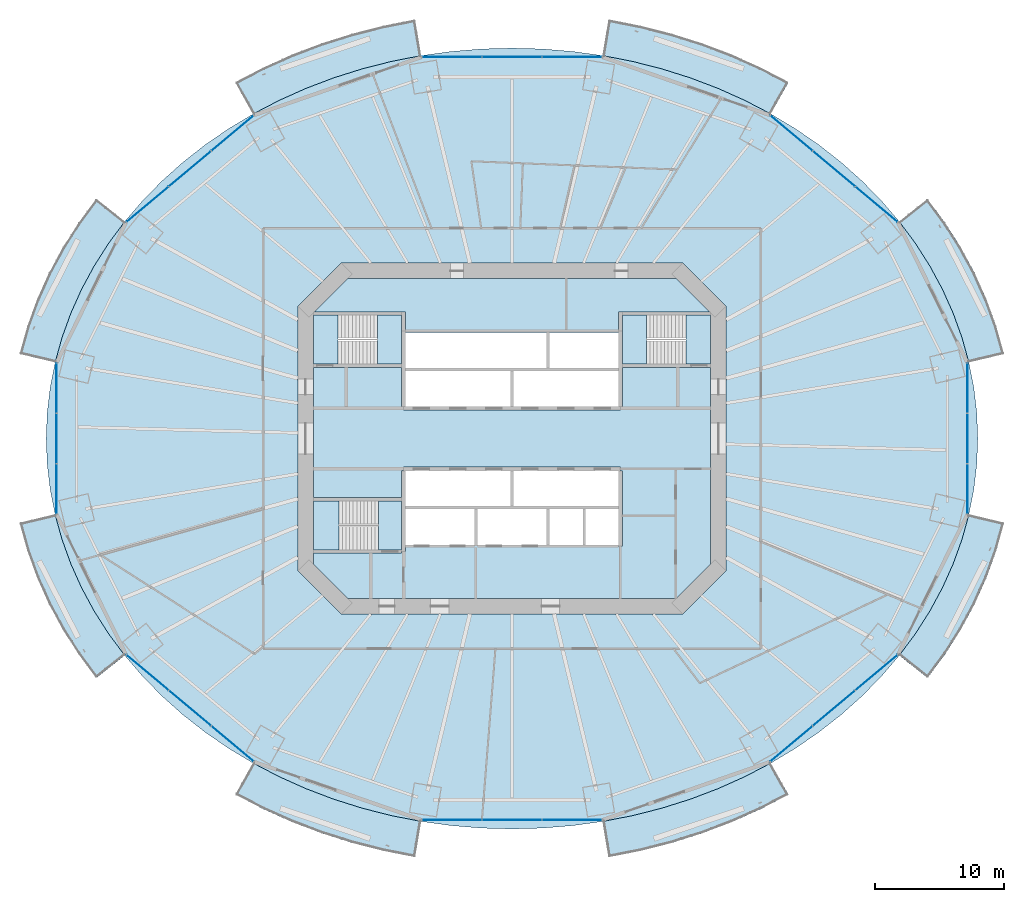
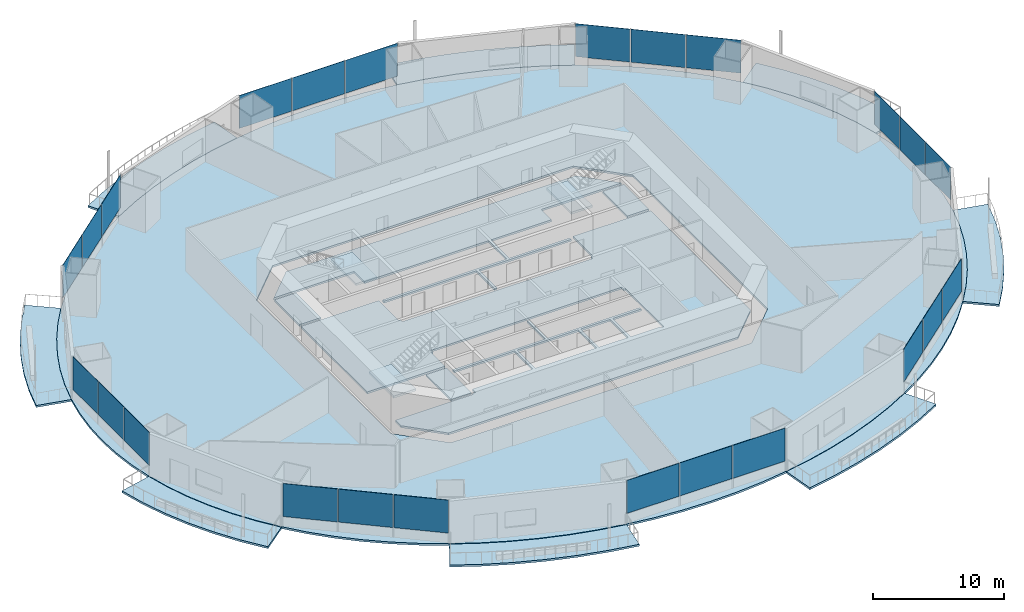
# One storey, part 13 of 23: 24 plates, 17 slabs, 11 elements without a shape of their own.
"""IFC4 building model written with IfcOpenShell, lengths in metres."""

from ifc_helpers import new_model, si_unit, direction, frame, origin, origin_2d, place, context, subcontext, project, spatial, polyline, rectangle, outline, extrude, material, layer, layer_set, type_object, element, aggregate, save


model = new_model("IFC4")

# Units and contexts
model_context = context("Model", 3, precision=1e-05, world=origin(), true_north=direction((0.0, 1.0)))
body_context = subcontext(model_context, "Body", "Model", "MODEL_VIEW")
ifc_project = project(units=[si_unit("LENGTHUNIT", "METRE"), si_unit("AREAUNIT", "SQUARE_METRE"), si_unit("VOLUMEUNIT", "CUBIC_METRE"), si_unit("PLANEANGLEUNIT", "RADIAN"), si_unit("MASSUNIT", "GRAM", prefix="KILO")], contexts=[model_context])

# Site, building, storey
site_placement = place(None, origin())
site = spatial("IfcSite", under=ifc_project, at=site_placement, CompositionType="ELEMENT")
building_placement = place(site_placement, origin())
building = spatial("IfcBuilding", under=site, at=building_placement, Name="Marenthal Gate Tower", CompositionType="ELEMENT")
storey_placement = place(building_placement, frame((0.0, 0.0, 62.050048828125)))
storey = spatial("IfcBuildingStorey", under=building, at=storey_placement, Name="L11", CompositionType="ELEMENT", Elevation=62.050048828125)

# Slabs
ifc_material_1 = material(Name="Concrete 40 MPa", Category="concrete")
ifc_layer_1 = layer(ifc_material_1, 0.179931640625)
ifc_layer_set_1 = layer_set([ifc_layer_1], Name="Balcony deck 180")
slab_type_1 = type_object("IfcSlabType", Name="Balcony deck 180", PredefinedType="USERDEFINED", material=ifc_layer_set_1)
slab_1_placement = place(storey_placement, frame((0.0, 0.0, -0.219970703125)))
element("IfcSlab", 1, at=slab_1_placement, inside=storey, type_object=slab_type_1, Name="Balcony deck L11 bay 1", ObjectType="BALCONY", PredefinedType="USERDEFINED", context=body_context, shape_type="SweptSolid", body=[
    extrude(outline(polyline([(35.421142578125, 5.9052734375), (34.884521484375, 7.834228515625), (34.198486328125, 9.729736328125), (33.365966796875, 11.58349609375), (32.390625, 13.3876953125), (31.276611328125, 15.134521484375), (30.028564453125, 16.816650390625), (32.2177734375, 18.56201171875), (33.582275390625, 16.722900390625), (34.803955078125, 14.8076171875), (35.8759765625, 12.823974609375), (36.793701171875, 10.78076171875), (37.551513671875, 8.686767578125), (38.1455078125, 6.5517578125), (35.421142578125, 5.9052734375)])), origin(), (0.0, 0.0, 1.0), 0.179931640625),
])
slab_2_placement = place(storey_placement, frame((0.0, 0.0, -0.219970703125)))
element("IfcSlab", 2, at=slab_2_placement, inside=storey, type_object=slab_type_1, Name="Balcony deck L11 bay 3", ObjectType="BALCONY", PredefinedType="USERDEFINED", context=body_context, shape_type="SweptSolid", body=[
    extrude(outline(polyline([(20.064453125, 25.167724609375), (18.0576171875, 26.213623046875), (15.973388671875, 27.1474609375), (13.820556640625, 27.96484375), (11.60888671875, 28.66259765625), (9.34716796875, 29.237548828125), (7.045654296875, 29.6875), (7.506103515625, 32.44921875), (9.960693359375, 31.969482421875), (12.375, 31.355712890625), (14.739013671875, 30.610107421875), (17.042724609375, 29.735107421875), (19.277099609375, 28.734130859375), (21.4326171875, 27.61083984375), (20.064453125, 25.167724609375)])), origin(), (0.0, 0.0, 1.0), 0.179931640625),
])
slab_3_placement = place(storey_placement, frame((0.0, 0.0, -0.219970703125)))
element("IfcSlab", 3, at=slab_3_placement, inside=storey, type_object=slab_type_1, Name="Balcony deck L11 bay 5", ObjectType="BALCONY", PredefinedType="USERDEFINED", context=body_context, shape_type="SweptSolid", body=[
    extrude(outline(polyline([(-7.045654296875, 29.6875), (-9.34716796875, 29.237548828125), (-11.60888671875, 28.66259765625), (-13.820556640625, 27.96484375), (-15.973388671875, 27.1474609375), (-18.0576171875, 26.213623046875), (-20.064453125, 25.167724609375), (-21.4326171875, 27.61083984375), (-19.277099609375, 28.734130859375), (-17.042724609375, 29.735107421875), (-14.739013671875, 30.610107421875), (-12.375, 31.355712890625), (-9.960693359375, 31.969482421875), (-7.506103515625, 32.44921875), (-7.045654296875, 29.6875)])), origin(), (0.0, 0.0, 1.0), 0.179931640625),
])
slab_4_placement = place(storey_placement, frame((0.0, 0.0, -0.219970703125)))
element("IfcSlab", 4, at=slab_4_placement, inside=storey, type_object=slab_type_1, Name="Balcony deck L11 bay 7", ObjectType="BALCONY", PredefinedType="USERDEFINED", context=body_context, shape_type="SweptSolid", body=[
    extrude(outline(polyline([(-30.028564453125, 16.816650390625), (-31.276611328125, 15.134521484375), (-32.390625, 13.3876953125), (-33.365966796875, 11.58349609375), (-34.198486328125, 9.729736328125), (-34.884521484375, 7.834228515625), (-35.421142578125, 5.9052734375), (-38.1455078125, 6.5517578125), (-37.551513671875, 8.686767578125), (-36.793701171875, 10.78076171875), (-35.8759765625, 12.823974609375), (-34.803955078125, 14.8076171875), (-33.582275390625, 16.722900390625), (-32.2177734375, 18.56201171875), (-30.028564453125, 16.816650390625)])), origin(), (0.0, 0.0, 1.0), 0.179931640625),
])
slab_5_placement = place(storey_placement, frame((0.0, 0.0, -0.219970703125)))
element("IfcSlab", 5, at=slab_5_placement, inside=storey, type_object=slab_type_1, Name="Balcony deck L11 bay 9", ObjectType="BALCONY", PredefinedType="USERDEFINED", context=body_context, shape_type="SweptSolid", body=[
    extrude(outline(polyline([(-35.421142578125, -5.9052734375), (-34.884521484375, -7.834228515625), (-34.198486328125, -9.729736328125), (-33.365966796875, -11.58349609375), (-32.390625, -13.3876953125), (-31.276611328125, -15.134521484375), (-30.028564453125, -16.816650390625), (-32.2177734375, -18.56201171875), (-33.582275390625, -16.722900390625), (-34.803955078125, -14.8076171875), (-35.8759765625, -12.823974609375), (-36.793701171875, -10.78076171875), (-37.551513671875, -8.686767578125), (-38.1455078125, -6.5517578125), (-35.421142578125, -5.9052734375)])), origin(), (0.0, 0.0, 1.0), 0.179931640625),
])
slab_6_placement = place(storey_placement, frame((0.0, 0.0, -0.219970703125)))
element("IfcSlab", 6, at=slab_6_placement, inside=storey, type_object=slab_type_1, Name="Balcony deck L11 bay 11", ObjectType="BALCONY", PredefinedType="USERDEFINED", context=body_context, shape_type="SweptSolid", body=[
    extrude(outline(polyline([(-20.064453125, -25.167724609375), (-18.0576171875, -26.213623046875), (-15.973388671875, -27.1474609375), (-13.820556640625, -27.96484375), (-11.60888671875, -28.66259765625), (-9.34716796875, -29.237548828125), (-7.045654296875, -29.6875), (-7.506103515625, -32.44921875), (-9.960693359375, -31.969482421875), (-12.375, -31.355712890625), (-14.739013671875, -30.610107421875), (-17.042724609375, -29.735107421875), (-19.277099609375, -28.734130859375), (-21.4326171875, -27.61083984375), (-20.064453125, -25.167724609375)])), origin(), (0.0, 0.0, 1.0), 0.179931640625),
])
slab_7_placement = place(storey_placement, frame((0.0, 0.0, -0.219970703125)))
element("IfcSlab", 7, at=slab_7_placement, inside=storey, type_object=slab_type_1, Name="Balcony deck L11 bay 13", ObjectType="BALCONY", PredefinedType="USERDEFINED", context=body_context, shape_type="SweptSolid", body=[
    extrude(outline(polyline([(7.045654296875, -29.6875), (9.34716796875, -29.237548828125), (11.60888671875, -28.66259765625), (13.820556640625, -27.96484375), (15.973388671875, -27.1474609375), (18.0576171875, -26.213623046875), (20.064453125, -25.167724609375), (21.4326171875, -27.61083984375), (19.277099609375, -28.734130859375), (17.042724609375, -29.735107421875), (14.739013671875, -30.610107421875), (12.375, -31.355712890625), (9.960693359375, -31.969482421875), (7.506103515625, -32.44921875), (7.045654296875, -29.6875)])), origin(), (0.0, 0.0, 1.0), 0.179931640625),
])
slab_8_placement = place(storey_placement, frame((0.0, 0.0, -0.219970703125)))
element("IfcSlab", 8, at=slab_8_placement, inside=storey, type_object=slab_type_1, Name="Balcony deck L11 bay 15", ObjectType="BALCONY", PredefinedType="USERDEFINED", context=body_context, shape_type="SweptSolid", body=[
    extrude(outline(polyline([(30.028564453125, -16.816650390625), (31.276611328125, -15.134521484375), (32.390625, -13.3876953125), (33.365966796875, -11.58349609375), (34.198486328125, -9.729736328125), (34.884521484375, -7.834228515625), (35.421142578125, -5.9052734375), (38.1455078125, -6.5517578125), (37.551513671875, -8.686767578125), (36.793701171875, -10.78076171875), (35.8759765625, -12.823974609375), (34.803955078125, -14.8076171875), (33.582275390625, -16.722900390625), (32.2177734375, -18.56201171875), (30.028564453125, -16.816650390625)])), origin(), (0.0, 0.0, 1.0), 0.179931640625),
])
ifc_material_2 = material(Name="Concrete 50 MPa", Category="concrete")
ifc_layer_2 = layer(ifc_material_2, 0.179931640625)
ifc_layer_set_2 = layer_set([ifc_layer_2], Name="Core floor slab 180")
slab_type_2 = type_object("IfcSlabType", Name="Core floor slab 180", PredefinedType="FLOOR", material=ifc_layer_set_2)
slab_9_placement = place(storey_placement, frame((0.0, 0.0, -0.179931640625)))
element("IfcSlab", 9, at=slab_9_placement, inside=storey, type_object=slab_type_2, Name="Core floor L11", PredefinedType="FLOOR", context=body_context, shape_type="SweptSolid", body=[
    extrude(outline(polyline([(15.39990234375, -9.75146484375), (12.75146484375, -12.39990234375), (-12.75146484375, -12.39990234375), (-15.39990234375, -9.75146484375), (-15.39990234375, -8.875), (-8.550048828125, -8.875), (-8.550048828125, -8.75), (-8.25, -8.75), (-8.25, -8.239990234375), (-5.60009765625, -8.239990234375), (-2.909912109375, -8.239990234375), (-2.909912109375, -5.4599609375), (-5.60009765625, -5.4599609375), (-8.25, -5.4599609375), (-8.25, -5.239990234375), (-5.60009765625, -5.239990234375), (-2.800048828125, -5.239990234375), (-0.110107421875, -5.239990234375), (-0.110107421875, -2.5), (0.110107421875, -2.5), (0.110107421875, -5.239990234375), (2.800048828125, -5.239990234375), (5.60009765625, -5.239990234375), (8.25, -5.239990234375), (8.25, -5.4599609375), (5.7099609375, -5.4599609375), (5.7099609375, -8.239990234375), (8.25, -8.239990234375), (8.25, -8.35009765625), (8.550048828125, -8.35009765625), (8.550048828125, -2.5), (8.39990234375, -2.5), (8.39990234375, -2.199951171875), (-8.39990234375, -2.199951171875), (-8.39990234375, -2.5), (-8.550048828125, -2.5), (-8.550048828125, -4.574951171875), (-15.39990234375, -4.574951171875), (-15.39990234375, 5.52490234375), (-8.550048828125, 5.52490234375), (-8.550048828125, 2.5), (-8.39990234375, 2.5), (-8.39990234375, 2.199951171875), (8.39990234375, 2.199951171875), (8.39990234375, 2.5), (8.550048828125, 2.5), (8.550048828125, 5.52490234375), (15.39990234375, 5.52490234375), (15.39990234375, -9.75146484375)]), holes=[polyline([(2.68994140625, -5.4599609375), (0.0, -5.4599609375), (-2.68994140625, -5.4599609375), (-2.68994140625, -8.239990234375), (0.0, -8.239990234375), (2.68994140625, -8.239990234375), (2.68994140625, -5.4599609375)]), polyline([(5.489990234375, -5.4599609375), (2.909912109375, -5.4599609375), (2.909912109375, -8.239990234375), (5.489990234375, -8.239990234375), (5.489990234375, -5.4599609375)])]), origin(), (0.0, 0.0, 1.0), 0.179931640625),
])
slab_10_placement = place(storey_placement, frame((0.0, 0.0, -0.179931640625)))
element("IfcSlab", 10, at=slab_10_placement, inside=storey, type_object=slab_type_2, Name="Core floor L11", PredefinedType="FLOOR", context=body_context, shape_type="SweptSolid", body=[
    extrude(outline(polyline([(15.39990234375, 5.77490234375), (13.5, 5.77490234375), (13.5, 9.574951171875), (15.39990234375, 9.574951171875), (15.39990234375, 5.77490234375)])), origin(), (0.0, 0.0, 1.0), 0.179931640625),
])
slab_11_placement = place(storey_placement, frame((0.0, 0.0, -0.179931640625)))
element("IfcSlab", 11, at=slab_11_placement, inside=storey, type_object=slab_type_2, Name="Core floor L11", PredefinedType="FLOOR", context=body_context, shape_type="SweptSolid", body=[
    extrude(outline(polyline([(12.75146484375, 12.39990234375), (15.326416015625, 9.824951171875), (8.550048828125, 9.824951171875), (8.25, 9.824951171875), (8.25, 8.35009765625), (8.25, 8.239990234375), (5.60009765625, 8.239990234375), (2.909912109375, 8.239990234375), (2.909912109375, 5.4599609375), (5.60009765625, 5.4599609375), (8.25, 5.4599609375), (8.25, 5.239990234375), (5.60009765625, 5.239990234375), (2.800048828125, 5.239990234375), (0.110107421875, 5.239990234375), (0.110107421875, 2.5), (-0.110107421875, 2.5), (-0.110107421875, 5.239990234375), (-2.800048828125, 5.239990234375), (-5.60009765625, 5.239990234375), (-8.25, 5.239990234375), (-8.25, 5.4599609375), (-5.60009765625, 5.4599609375), (-2.800048828125, 5.4599609375), (0.0, 5.4599609375), (2.68994140625, 5.4599609375), (2.68994140625, 8.239990234375), (0.0, 8.239990234375), (-2.800048828125, 8.239990234375), (-5.60009765625, 8.239990234375), (-8.25, 8.239990234375), (-8.25, 8.35009765625), (-8.25, 9.824951171875), (-8.550048828125, 9.824951171875), (-15.326416015625, 9.824951171875), (-12.75146484375, 12.39990234375), (12.75146484375, 12.39990234375)])), origin(), (0.0, 0.0, 1.0), 0.179931640625),
])
slab_12_placement = place(storey_placement, frame((0.0, 0.0, -0.179931640625)))
element("IfcSlab", 12, at=slab_12_placement, inside=storey, type_object=slab_type_2, Name="Core floor L11", PredefinedType="FLOOR", context=body_context, shape_type="SweptSolid", body=[
    extrude(outline(polyline([(-15.39990234375, 9.574951171875), (-13.5, 9.574951171875), (-13.5, 5.77490234375), (-15.39990234375, 5.77490234375), (-15.39990234375, 9.574951171875)])), origin(), (0.0, 0.0, 1.0), 0.179931640625),
])
slab_13_placement = place(storey_placement, frame((0.0, 0.0, -0.179931640625)))
element("IfcSlab", 13, at=slab_13_placement, inside=storey, type_object=slab_type_2, Name="Core floor L11", PredefinedType="FLOOR", context=body_context, shape_type="SweptSolid", body=[
    extrude(outline(polyline([(-8.550048828125, -8.625), (-10.35009765625, -8.625), (-10.35009765625, -4.824951171875), (-8.550048828125, -4.824951171875), (-8.550048828125, -8.625)])), origin(), (0.0, 0.0, 1.0), 0.179931640625),
])
ifc_material_3 = material(Name="Concrete 35 MPa", Category="concrete")
ifc_layer_3 = layer(ifc_material_3, 0.179931640625)
ifc_layer_set_3 = layer_set([ifc_layer_3], Name="Floor slab 180")
slab_type_3 = type_object("IfcSlabType", Name="Floor slab 180", PredefinedType="FLOOR", material=ifc_layer_set_3)
slab_14_placement = place(storey_placement, frame((0.0, 0.0, -0.179931640625)))
element("IfcSlab", 14, at=slab_14_placement, inside=storey, type_object=slab_type_3, Name="SL-L11-01", PredefinedType="FLOOR", context=body_context, shape_type="SweptSolid", body=[
    extrude(outline(polyline([(36.114990234375, 0.0), (36.03759765625, 1.979736328125), (35.805908203125, 3.950927734375), (35.421142578125, 5.9052734375), (34.884521484375, 7.834228515625), (34.198486328125, 9.729736328125), (33.365966796875, 11.58349609375), (32.390625, 13.3876953125), (31.276611328125, 15.134521484375), (30.028564453125, 16.816650390625), (28.652099609375, 18.426513671875), (27.152587890625, 19.957763671875), (25.537109375, 21.4033203125), (23.812255859375, 22.75732421875), (21.9853515625, 24.013916015625), (20.064453125, 25.167724609375), (18.0576171875, 26.213623046875), (15.973388671875, 27.1474609375), (13.820556640625, 27.96484375), (11.60888671875, 28.66259765625), (9.34716796875, 29.237548828125), (7.045654296875, 29.6875), (4.714111328125, 30.010009765625), (2.362060546875, 30.2041015625), (0.0, 30.26904296875), (-2.362060546875, 30.2041015625), (-4.714111328125, 30.010009765625), (-7.045654296875, 29.6875), (-9.34716796875, 29.237548828125), (-11.60888671875, 28.66259765625), (-13.820556640625, 27.96484375), (-15.973388671875, 27.1474609375), (-18.0576171875, 26.213623046875), (-20.064453125, 25.167724609375), (-21.9853515625, 24.013916015625), (-23.812255859375, 22.75732421875), (-25.537109375, 21.4033203125), (-27.152587890625, 19.957763671875), (-28.652099609375, 18.426513671875), (-30.028564453125, 16.816650390625), (-31.276611328125, 15.134521484375), (-32.390625, 13.3876953125), (-33.365966796875, 11.58349609375), (-34.198486328125, 9.729736328125), (-34.884521484375, 7.834228515625), (-35.421142578125, 5.9052734375), (-35.805908203125, 3.950927734375), (-36.03759765625, 1.979736328125), (-36.114990234375, 0.0), (-36.03759765625, -1.979736328125), (-35.805908203125, -3.950927734375), (-35.421142578125, -5.9052734375), (-34.884521484375, -7.834228515625), (-34.198486328125, -9.729736328125), (-33.365966796875, -11.58349609375), (-32.390625, -13.3876953125), (-31.276611328125, -15.134521484375), (-30.028564453125, -16.816650390625), (-28.652099609375, -18.426513671875), (-27.152587890625, -19.957763671875), (-25.537109375, -21.4033203125), (-23.812255859375, -22.75732421875), (-21.9853515625, -24.013916015625), (-20.064453125, -25.167724609375), (-18.0576171875, -26.213623046875), (-15.973388671875, -27.1474609375), (-13.820556640625, -27.96484375), (-11.60888671875, -28.66259765625), (-9.34716796875, -29.237548828125), (-7.045654296875, -29.6875), (-4.714111328125, -30.010009765625), (-2.362060546875, -30.2041015625), (0.0, -30.26904296875), (2.362060546875, -30.2041015625), (4.714111328125, -30.010009765625), (7.045654296875, -29.6875), (9.34716796875, -29.237548828125), (11.60888671875, -28.66259765625), (13.820556640625, -27.96484375), (15.973388671875, -27.1474609375), (18.0576171875, -26.213623046875), (20.064453125, -25.167724609375), (21.9853515625, -24.013916015625), (23.812255859375, -22.75732421875), (25.537109375, -21.4033203125), (27.152587890625, -19.957763671875), (28.652099609375, -18.426513671875), (30.028564453125, -16.816650390625), (31.276611328125, -15.134521484375), (32.390625, -13.3876953125), (33.365966796875, -11.58349609375), (34.198486328125, -9.729736328125), (34.884521484375, -7.834228515625), (35.421142578125, -5.9052734375), (35.805908203125, -3.950927734375), (36.03759765625, -1.979736328125), (36.114990234375, 0.0)]), holes=[polyline([(13.24853515625, -13.60009765625), (16.60009765625, -10.24853515625), (16.60009765625, 10.24853515625), (13.24853515625, 13.60009765625), (-13.24853515625, 13.60009765625), (-16.60009765625, 10.24853515625), (-16.60009765625, -10.24853515625), (-13.24853515625, -13.60009765625), (13.24853515625, -13.60009765625)])]), origin(), (0.0, 0.0, 1.0), 0.179931640625),
])

# Curtain wall, plates
ifc_material_4 = material(Name="Aluminium and glass", Category="aluminium")
curtain_wall_type = type_object("IfcCurtainWallType", Name="Curtain wall typical low", PredefinedType="NOTDEFINED", material=ifc_material_4)
curtain_wall_1_placement = place(storey_placement, origin())
curtain_wall_1 = element("IfcCurtainWall", 15, at=curtain_wall_1_placement, inside=storey, type_object=curtain_wall_type, Name="Curtain wall L11 bay 2", PredefinedType="NOTDEFINED")
ifc_material_5 = material(Name="Glass, laminated insulating unit", Category="glass")
ifc_layer_4 = layer(ifc_material_5, 0.030029296875)
ifc_layer_set_4 = layer_set([ifc_layer_4], Name="Glass panel 30 typical low")
plate_type = type_object("IfcPlateType", Name="Glass panel 30 typical low", PredefinedType="CURTAIN_PANEL", material=ifc_layer_set_4)
plate_1_placement = place(storey_placement, frame((28.25830078125, 18.149169921875, 0.89990234375), z_axis=(0.0, 0.0, 1.0), x_axis=(-0.766611059497, 0.642111737517, 0.0)))
plate_1 = element("IfcPlate", 16, at=plate_1_placement, type_object=plate_type, Name="Glass panel L11 bay 2.1", PredefinedType="CURTAIN_PANEL", context=body_context, shape_type="SweptSolid", body=[
    extrude(rectangle(XDim=4.238037109375, YDim=0.030029296875, at=origin_2d()), origin(), (0.0, 0.0, 1.0), 3.070068359375),
])
plate_2_placement = place(storey_placement, frame((24.963134765625, 20.908935546875, 0.89990234375), z_axis=(0.0, 0.0, 1.0), x_axis=(-0.766611059497, 0.642111737517, 0.0)))
plate_2 = element("IfcPlate", 17, at=plate_2_placement, type_object=plate_type, Name="Glass panel L11 bay 2.2", PredefinedType="CURTAIN_PANEL", context=body_context, shape_type="SweptSolid", body=[
    extrude(rectangle(XDim=4.238037109375, YDim=0.030029296875, at=origin_2d()), origin(), (0.0, 0.0, 1.0), 3.070068359375),
])
plate_3_placement = place(storey_placement, frame((21.668212890625, 23.668701171875, 0.89990234375), z_axis=(0.0, 0.0, 1.0), x_axis=(-0.766611059497, 0.642111737517, 0.0)))
plate_3 = element("IfcPlate", 18, at=plate_3_placement, type_object=plate_type, Name="Glass panel L11 bay 2.3", PredefinedType="CURTAIN_PANEL", context=body_context, shape_type="SweptSolid", body=[
    extrude(rectangle(XDim=4.238037109375, YDim=0.030029296875, at=origin_2d()), origin(), (0.0, 0.0, 1.0), 3.070068359375),
])
aggregate(curtain_wall_1, [plate_1, plate_2, plate_3])

curtain_wall_2_placement = place(storey_placement, origin())
curtain_wall_2 = element("IfcCurtainWall", 19, at=curtain_wall_2_placement, inside=storey, type_object=curtain_wall_type, Name="Curtain wall L11 bay 4", PredefinedType="NOTDEFINED")
plate_4_placement = place(storey_placement, frame((4.66162109375, 29.569580078125, 0.89990234375), z_axis=(0.0, 0.0, 1.0), x_axis=(-1.0, 0.0, 0.0)))
plate_4 = element("IfcPlate", 20, at=plate_4_placement, type_object=plate_type, Name="Glass panel L11 bay 4.1", PredefinedType="CURTAIN_PANEL", context=body_context, shape_type="SweptSolid", body=[
    extrude(rectangle(XDim=4.6015625, YDim=0.030029296875, at=origin_2d()), origin(), (0.0, 0.0, 1.0), 3.070068359375),
])
plate_5_placement = place(storey_placement, frame((0.0, 29.569580078125, 0.89990234375), z_axis=(0.0, 0.0, 1.0), x_axis=(-1.0, 0.0, 0.0)))
plate_5 = element("IfcPlate", 21, at=plate_5_placement, type_object=plate_type, Name="Glass panel L11 bay 4.2", PredefinedType="CURTAIN_PANEL", context=body_context, shape_type="SweptSolid", body=[
    extrude(rectangle(XDim=4.6015625, YDim=0.030029296875, at=origin_2d()), origin(), (0.0, 0.0, 1.0), 3.070068359375),
])
plate_6_placement = place(storey_placement, frame((-4.66162109375, 29.569580078125, 0.89990234375), z_axis=(0.0, 0.0, 1.0), x_axis=(-1.0, 0.0, 0.0)))
plate_6 = element("IfcPlate", 22, at=plate_6_placement, type_object=plate_type, Name="Glass panel L11 bay 4.3", PredefinedType="CURTAIN_PANEL", context=body_context, shape_type="SweptSolid", body=[
    extrude(rectangle(XDim=4.6015625, YDim=0.030029296875, at=origin_2d()), origin(), (0.0, 0.0, 1.0), 3.070068359375),
])
aggregate(curtain_wall_2, [plate_4, plate_5, plate_6])

curtain_wall_3_placement = place(storey_placement, origin())
curtain_wall_3 = element("IfcCurtainWall", 23, at=curtain_wall_3_placement, inside=storey, type_object=curtain_wall_type, Name="Curtain wall L11 bay 6", PredefinedType="NOTDEFINED")
plate_7_placement = place(storey_placement, frame((-21.668212890625, 23.668701171875, 0.89990234375), z_axis=(0.0, 0.0, 1.0), x_axis=(-0.766611059497, -0.642111737517, 0.0)))
plate_7 = element("IfcPlate", 24, at=plate_7_placement, type_object=plate_type, Name="Glass panel L11 bay 6.1", PredefinedType="CURTAIN_PANEL", context=body_context, shape_type="SweptSolid", body=[
    extrude(rectangle(XDim=4.238037109375, YDim=0.030029296875, at=origin_2d()), origin(), (0.0, 0.0, 1.0), 3.070068359375),
])
plate_8_placement = place(storey_placement, frame((-24.963134765625, 20.908935546875, 0.89990234375), z_axis=(0.0, 0.0, 1.0), x_axis=(-0.766611059497, -0.642111737517, 0.0)))
plate_8 = element("IfcPlate", 25, at=plate_8_placement, type_object=plate_type, Name="Glass panel L11 bay 6.2", PredefinedType="CURTAIN_PANEL", context=body_context, shape_type="SweptSolid", body=[
    extrude(rectangle(XDim=4.238037109375, YDim=0.030029296875, at=origin_2d()), origin(), (0.0, 0.0, 1.0), 3.070068359375),
])
plate_9_placement = place(storey_placement, frame((-28.25830078125, 18.149169921875, 0.89990234375), z_axis=(0.0, 0.0, 1.0), x_axis=(-0.766611059497, -0.642111737517, 0.0)))
plate_9 = element("IfcPlate", 26, at=plate_9_placement, type_object=plate_type, Name="Glass panel L11 bay 6.3", PredefinedType="CURTAIN_PANEL", context=body_context, shape_type="SweptSolid", body=[
    extrude(rectangle(XDim=4.238037109375, YDim=0.030029296875, at=origin_2d()), origin(), (0.0, 0.0, 1.0), 3.070068359375),
])
aggregate(curtain_wall_3, [plate_7, plate_8, plate_9])

curtain_wall_4_placement = place(storey_placement, origin())
curtain_wall_4 = element("IfcCurtainWall", 27, at=curtain_wall_4_placement, inside=storey, type_object=curtain_wall_type, Name="Curtain wall L11 bay 8", PredefinedType="NOTDEFINED")
plate_10_placement = place(storey_placement, frame((-35.303466796875, 3.901123046875, 0.89990234375), z_axis=(0.0, 0.0, 1.0), x_axis=(0.0, -1.0, 0.0)))
plate_10 = element("IfcPlate", 28, at=plate_10_placement, type_object=plate_type, Name="Glass panel L11 bay 8.1", PredefinedType="CURTAIN_PANEL", context=body_context, shape_type="SweptSolid", body=[
    extrude(rectangle(XDim=3.84130859375, YDim=0.030029296875, at=origin_2d()), origin(), (0.0, 0.0, 1.0), 3.070068359375),
])
plate_11_placement = place(storey_placement, frame((-35.303466796875, 0.0, 0.89990234375), z_axis=(0.0, 0.0, 1.0), x_axis=(0.0, -1.0, 0.0)))
plate_11 = element("IfcPlate", 29, at=plate_11_placement, type_object=plate_type, Name="Glass panel L11 bay 8.2", PredefinedType="CURTAIN_PANEL", context=body_context, shape_type="SweptSolid", body=[
    extrude(rectangle(XDim=3.84130859375, YDim=0.030029296875, at=origin_2d()), origin(), (0.0, 0.0, 1.0), 3.070068359375),
])
plate_12_placement = place(storey_placement, frame((-35.303466796875, -3.901123046875, 0.89990234375), z_axis=(0.0, 0.0, 1.0), x_axis=(0.0, -1.0, 0.0)))
plate_12 = element("IfcPlate", 30, at=plate_12_placement, type_object=plate_type, Name="Glass panel L11 bay 8.3", PredefinedType="CURTAIN_PANEL", context=body_context, shape_type="SweptSolid", body=[
    extrude(rectangle(XDim=3.84130859375, YDim=0.030029296875, at=origin_2d()), origin(), (0.0, 0.0, 1.0), 3.070068359375),
])
aggregate(curtain_wall_4, [plate_10, plate_11, plate_12])

curtain_wall_5_placement = place(storey_placement, origin())
curtain_wall_5 = element("IfcCurtainWall", 31, at=curtain_wall_5_placement, inside=storey, type_object=curtain_wall_type, Name="Curtain wall L11 bay 10", PredefinedType="NOTDEFINED")
plate_13_placement = place(storey_placement, frame((-28.25830078125, -18.149169921875, 0.89990234375), z_axis=(0.0, 0.0, 1.0), x_axis=(0.766611059497, -0.642111737517, 0.0)))
plate_13 = element("IfcPlate", 32, at=plate_13_placement, type_object=plate_type, Name="Glass panel L11 bay 10.1", PredefinedType="CURTAIN_PANEL", context=body_context, shape_type="SweptSolid", body=[
    extrude(rectangle(XDim=4.238037109375, YDim=0.030029296875, at=origin_2d()), origin(), (0.0, 0.0, 1.0), 3.070068359375),
])
plate_14_placement = place(storey_placement, frame((-24.963134765625, -20.908935546875, 0.89990234375), z_axis=(0.0, 0.0, 1.0), x_axis=(0.766611059497, -0.642111737517, 0.0)))
plate_14 = element("IfcPlate", 33, at=plate_14_placement, type_object=plate_type, Name="Glass panel L11 bay 10.2", PredefinedType="CURTAIN_PANEL", context=body_context, shape_type="SweptSolid", body=[
    extrude(rectangle(XDim=4.238037109375, YDim=0.030029296875, at=origin_2d()), origin(), (0.0, 0.0, 1.0), 3.070068359375),
])
plate_15_placement = place(storey_placement, frame((-21.668212890625, -23.668701171875, 0.89990234375), z_axis=(0.0, 0.0, 1.0), x_axis=(0.766611059497, -0.642111737517, 0.0)))
plate_15 = element("IfcPlate", 34, at=plate_15_placement, type_object=plate_type, Name="Glass panel L11 bay 10.3", PredefinedType="CURTAIN_PANEL", context=body_context, shape_type="SweptSolid", body=[
    extrude(rectangle(XDim=4.238037109375, YDim=0.030029296875, at=origin_2d()), origin(), (0.0, 0.0, 1.0), 3.070068359375),
])
aggregate(curtain_wall_5, [plate_13, plate_14, plate_15])

curtain_wall_6_placement = place(storey_placement, origin())
curtain_wall_6 = element("IfcCurtainWall", 35, at=curtain_wall_6_placement, inside=storey, type_object=curtain_wall_type, Name="Curtain wall L11 bay 12", PredefinedType="NOTDEFINED")
plate_16_placement = place(storey_placement, frame((-4.66162109375, -29.569580078125, 0.89990234375), z_axis=(0.0, 0.0, 1.0), x_axis=(1.0, 0.0, 0.0)))
plate_16 = element("IfcPlate", 36, at=plate_16_placement, type_object=plate_type, Name="Glass panel L11 bay 12.1", PredefinedType="CURTAIN_PANEL", context=body_context, shape_type="SweptSolid", body=[
    extrude(rectangle(XDim=4.6015625, YDim=0.030029296875, at=origin_2d()), origin(), (0.0, 0.0, 1.0), 3.070068359375),
])
plate_17_placement = place(storey_placement, frame((0.0, -29.569580078125, 0.89990234375), z_axis=(0.0, 0.0, 1.0), x_axis=(1.0, 0.0, 0.0)))
plate_17 = element("IfcPlate", 37, at=plate_17_placement, type_object=plate_type, Name="Glass panel L11 bay 12.2", PredefinedType="CURTAIN_PANEL", context=body_context, shape_type="SweptSolid", body=[
    extrude(rectangle(XDim=4.6015625, YDim=0.030029296875, at=origin_2d()), origin(), (0.0, 0.0, 1.0), 3.070068359375),
])
plate_18_placement = place(storey_placement, frame((4.66162109375, -29.569580078125, 0.89990234375), z_axis=(0.0, 0.0, 1.0), x_axis=(1.0, 0.0, 0.0)))
plate_18 = element("IfcPlate", 38, at=plate_18_placement, type_object=plate_type, Name="Glass panel L11 bay 12.3", PredefinedType="CURTAIN_PANEL", context=body_context, shape_type="SweptSolid", body=[
    extrude(rectangle(XDim=4.6015625, YDim=0.030029296875, at=origin_2d()), origin(), (0.0, 0.0, 1.0), 3.070068359375),
])
aggregate(curtain_wall_6, [plate_16, plate_17, plate_18])

curtain_wall_7_placement = place(storey_placement, origin())
curtain_wall_7 = element("IfcCurtainWall", 39, at=curtain_wall_7_placement, inside=storey, type_object=curtain_wall_type, Name="Curtain wall L11 bay 14", PredefinedType="NOTDEFINED")
plate_19_placement = place(storey_placement, frame((21.668212890625, -23.668701171875, 0.89990234375), z_axis=(0.0, 0.0, 1.0), x_axis=(0.766611059497, 0.642111737517, 0.0)))
plate_19 = element("IfcPlate", 40, at=plate_19_placement, type_object=plate_type, Name="Glass panel L11 bay 14.1", PredefinedType="CURTAIN_PANEL", context=body_context, shape_type="SweptSolid", body=[
    extrude(rectangle(XDim=4.238037109375, YDim=0.030029296875, at=origin_2d()), origin(), (0.0, 0.0, 1.0), 3.070068359375),
])
plate_20_placement = place(storey_placement, frame((24.963134765625, -20.908935546875, 0.89990234375), z_axis=(0.0, 0.0, 1.0), x_axis=(0.766611059497, 0.642111737517, 0.0)))
plate_20 = element("IfcPlate", 41, at=plate_20_placement, type_object=plate_type, Name="Glass panel L11 bay 14.2", PredefinedType="CURTAIN_PANEL", context=body_context, shape_type="SweptSolid", body=[
    extrude(rectangle(XDim=4.238037109375, YDim=0.030029296875, at=origin_2d()), origin(), (0.0, 0.0, 1.0), 3.070068359375),
])
plate_21_placement = place(storey_placement, frame((28.25830078125, -18.149169921875, 0.89990234375), z_axis=(0.0, 0.0, 1.0), x_axis=(0.766611059497, 0.642111737517, 0.0)))
plate_21 = element("IfcPlate", 42, at=plate_21_placement, type_object=plate_type, Name="Glass panel L11 bay 14.3", PredefinedType="CURTAIN_PANEL", context=body_context, shape_type="SweptSolid", body=[
    extrude(rectangle(XDim=4.238037109375, YDim=0.030029296875, at=origin_2d()), origin(), (0.0, 0.0, 1.0), 3.070068359375),
])
aggregate(curtain_wall_7, [plate_19, plate_20, plate_21])

curtain_wall_8_placement = place(storey_placement, origin())
curtain_wall_8 = element("IfcCurtainWall", 43, at=curtain_wall_8_placement, inside=storey, type_object=curtain_wall_type, Name="Curtain wall L11 bay 16", PredefinedType="NOTDEFINED")
plate_22_placement = place(storey_placement, frame((35.303466796875, -3.901123046875, 0.89990234375), z_axis=(0.0, 0.0, 1.0), x_axis=(0.0, 1.0, 0.0)))
plate_22 = element("IfcPlate", 44, at=plate_22_placement, type_object=plate_type, Name="Glass panel L11 bay 16.1", PredefinedType="CURTAIN_PANEL", context=body_context, shape_type="SweptSolid", body=[
    extrude(rectangle(XDim=3.84130859375, YDim=0.030029296875, at=origin_2d()), origin(), (0.0, 0.0, 1.0), 3.070068359375),
])
plate_23_placement = place(storey_placement, frame((35.303466796875, 0.0, 0.89990234375), z_axis=(0.0, 0.0, 1.0), x_axis=(0.0, 1.0, 0.0)))
plate_23 = element("IfcPlate", 45, at=plate_23_placement, type_object=plate_type, Name="Glass panel L11 bay 16.2", PredefinedType="CURTAIN_PANEL", context=body_context, shape_type="SweptSolid", body=[
    extrude(rectangle(XDim=3.84130859375, YDim=0.030029296875, at=origin_2d()), origin(), (0.0, 0.0, 1.0), 3.070068359375),
])
plate_24_placement = place(storey_placement, frame((35.303466796875, 3.901123046875, 0.89990234375), z_axis=(0.0, 0.0, 1.0), x_axis=(0.0, 1.0, 0.0)))
plate_24 = element("IfcPlate", 46, at=plate_24_placement, type_object=plate_type, Name="Glass panel L11 bay 16.3", PredefinedType="CURTAIN_PANEL", context=body_context, shape_type="SweptSolid", body=[
    extrude(rectangle(XDim=3.84130859375, YDim=0.030029296875, at=origin_2d()), origin(), (0.0, 0.0, 1.0), 3.070068359375),
])
aggregate(curtain_wall_8, [plate_22, plate_23, plate_24])

# Stair, slab
ifc_material_6 = material(Name="Concrete 40 MPa", Category="concrete")
stair_type = type_object("IfcStairType", Name="Exit stair 1800", PredefinedType="HALF_TURN_STAIR", material=ifc_material_6)
stair_1_placement = place(storey_placement, origin())
stair_1 = element("IfcStair", 47, at=stair_1_placement, inside=storey, type_object=stair_type, Name="Stair ST1", PredefinedType="HALF_TURN_STAIR")
ifc_material_7 = material(Name="Concrete 40 MPa", Category="concrete")
ifc_layer_5 = layer(ifc_material_7, 0.199951171875)
ifc_layer_set_5 = layer_set([ifc_layer_5], Name="Stair landing 200")
slab_type_4 = type_object("IfcSlabType", Name="Stair landing 200", PredefinedType="LANDING", material=ifc_layer_set_5)
slab_15_placement = place(storey_placement, frame((0.0, 0.0, 1.875)))
slab_15 = element("IfcSlab", 48, at=slab_15_placement, type_object=slab_type_4, Name="ST1 landing 1", PredefinedType="LANDING", context=body_context, shape_type="SweptSolid", body=[
    extrude(outline(polyline([(-10.419921875, 5.77490234375), (-8.550048828125, 5.77490234375), (-8.550048828125, 9.574951171875), (-10.419921875, 9.574951171875), (-10.419921875, 5.77490234375)])), origin(), (0.0, 0.0, 1.0), 0.199951171875),
])
aggregate(stair_1, [slab_15])

stair_2_placement = place(storey_placement, origin())
stair_2 = element("IfcStair", 49, at=stair_2_placement, inside=storey, type_object=stair_type, Name="Stair ST2", PredefinedType="HALF_TURN_STAIR")
slab_16_placement = place(storey_placement, frame((0.0, 0.0, 1.875)))
slab_16 = element("IfcSlab", 50, at=slab_16_placement, type_object=slab_type_4, Name="ST2 landing 1", PredefinedType="LANDING", context=body_context, shape_type="SweptSolid", body=[
    extrude(outline(polyline([(-15.39990234375, -8.625), (-13.429931640625, -8.625), (-13.429931640625, -4.824951171875), (-15.39990234375, -4.824951171875), (-15.39990234375, -8.625)])), origin(), (0.0, 0.0, 1.0), 0.199951171875),
])
aggregate(stair_2, [slab_16])

stair_3_placement = place(storey_placement, origin())
stair_3 = element("IfcStair", 51, at=stair_3_placement, inside=storey, type_object=stair_type, Name="Stair ST3", PredefinedType="HALF_TURN_STAIR")
slab_17_placement = place(storey_placement, frame((0.0, 0.0, 1.875)))
slab_17 = element("IfcSlab", 52, at=slab_17_placement, type_object=slab_type_4, Name="ST3 landing 1", PredefinedType="LANDING", context=body_context, shape_type="SweptSolid", body=[
    extrude(outline(polyline([(8.550048828125, 5.77490234375), (10.419921875, 5.77490234375), (10.419921875, 9.574951171875), (8.550048828125, 9.574951171875), (8.550048828125, 5.77490234375)])), origin(), (0.0, 0.0, 1.0), 0.199951171875),
])
aggregate(stair_3, [slab_17])

save(model, "model.ifc")
